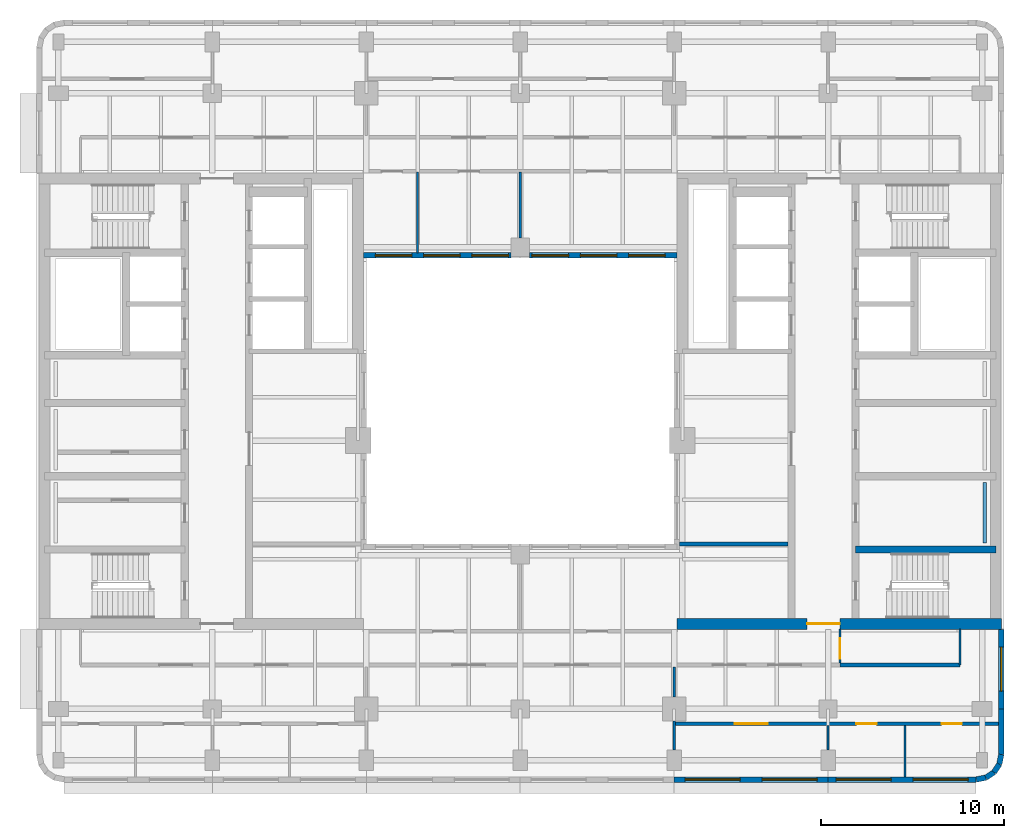
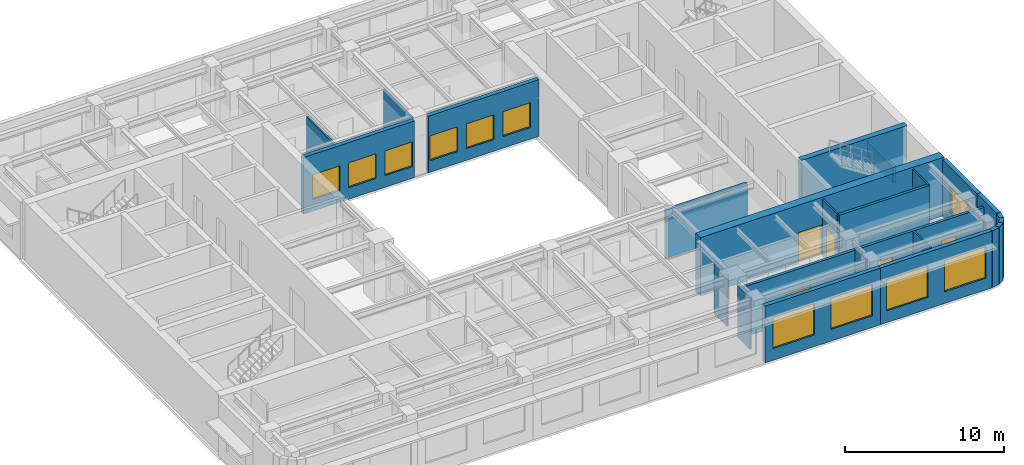
# One storey, part 5 of 11: 24 walls, 11 windows, 5 doors, 16 openings.
"""IFC4 building model written with IfcOpenShell, lengths in metres."""

from ifc_helpers import new_model, si_unit, direction, frame, frame_2d, origin, place, context, subcontext, project, spatial, rectangle, extrude, material, layer, layer_set, type_object, element, fill, save


model = new_model("IFC4")

# Units and contexts
model_context = context("Model", 3, precision=1e-05, world=origin(), true_north=direction((0.0, 1.0)))
body_context = subcontext(model_context, "Body", "Model", "MODEL_VIEW")
ifc_project = project(units=[si_unit("LENGTHUNIT", "METRE"), si_unit("AREAUNIT", "SQUARE_METRE"), si_unit("VOLUMEUNIT", "CUBIC_METRE"), si_unit("PLANEANGLEUNIT", "RADIAN"), si_unit("MASSUNIT", "GRAM", prefix="KILO")], contexts=[model_context])

# Site, building, storey
site_placement = place(None, origin())
site = spatial("IfcSite", under=ifc_project, at=site_placement, CompositionType="ELEMENT")
building_placement = place(site_placement, origin())
building = spatial("IfcBuilding", under=site, at=building_placement, Name="Claustro Exchange Tower", CompositionType="ELEMENT")
storey_placement = place(building_placement, frame((0.0, 0.0, 259.199951171875)))
storey = spatial("IfcBuildingStorey", under=building, at=storey_placement, Name="L59", CompositionType="ELEMENT", Elevation=259.199951171875)

# Walls
ifc_material_1 = material(Name="Laminated glass in aluminium frame", Category="aluminium")
ifc_layer_1 = layer(ifc_material_1, 0.1201171875)
ifc_layer_set_1 = layer_set([ifc_layer_1], Name="Laminated glass in aluminium frame")
wall_type_1 = type_object("IfcWallType", Name="P2 120 glazed partition", PredefinedType="PARTITIONING", material=ifc_layer_set_1)
wall_1_placement = place(storey_placement, frame((33.60009765625, 6.14892578125, 0.0), z_axis=(0.0, 0.0, 1.0), x_axis=(0.0, 1.0, 0.0)))
element("IfcWall", 1, at=wall_1_placement, inside=storey, type_object=wall_type_1, Name="Partition P2 L59", PredefinedType="PARTITIONING", context=body_context, shape_type="SweptSolid", body=[
    extrude(rectangle(XDim=1.60302734375, YDim=0.1201171875, at=frame_2d((0.801513671875, 0.0))), origin(), (0.0, 0.0, 1.0), 3.989990234375),
])
wall_2_placement = place(storey_placement, frame((42.0, 6.14892578125, 0.0), z_axis=(0.0, 0.0, 1.0), x_axis=(0.0, 1.0, 0.0)))
element("IfcWall", 2, at=wall_2_placement, inside=storey, type_object=wall_type_1, Name="Partition P2 L59", PredefinedType="PARTITIONING", context=body_context, shape_type="SweptSolid", body=[
    extrude(rectangle(XDim=1.35302734375, YDim=0.1201171875, at=frame_2d((0.676513671875, 0.0))), origin(), (0.0, 0.0, 1.0), 3.989990234375),
])
wall_3_placement = place(storey_placement, frame((46.199951171875, 4.699951171875, 0.0), z_axis=(0.0, 0.0, 1.0), x_axis=(0.0, 1.0, 0.0)))
element("IfcWall", 3, at=wall_3_placement, inside=storey, type_object=wall_type_1, Name="Partition P2 L59", PredefinedType="PARTITIONING", context=body_context, shape_type="SweptSolid", body=[
    extrude(rectangle(XDim=2.802001953125, YDim=0.1201171875, at=frame_2d((1.40087890625, 0.0))), origin(), (0.0, 0.0, 1.0), 3.860107421875),
])
wall_4_placement = place(storey_placement, frame((33.60009765625, 9.049072265625, 0.0), z_axis=(0.0, 0.0, 1.0), x_axis=(0.0, 1.0, 0.0)))
element("IfcWall", 4, at=wall_4_placement, inside=storey, type_object=wall_type_1, Name="Partition P2 L59", PredefinedType="PARTITIONING", context=body_context, shape_type="SweptSolid", body=[
    extrude(rectangle(XDim=1.65283203125, YDim=0.1201171875, at=frame_2d((0.826416015625, 0.0))), origin(), (0.0, 0.0, 1.0), 3.989990234375),
])

# Wall, opening, door
wall_5_placement = place(storey_placement, frame((42.64990234375, 10.89794921875, 0.0), z_axis=(0.0, 0.0, 1.0), x_axis=(0.0, 1.0, 0.0)))
wall_5 = element("IfcWall", 5, at=wall_5_placement, inside=storey, type_object=wall_type_1, Name="Partition P2 L59", PredefinedType="PARTITIONING", context=body_context, shape_type="SweptSolid", body=[
    extrude(rectangle(XDim=1.85400390625, YDim=0.1201171875, at=frame_2d((0.927001953125, 0.0))), origin(), (0.0, 0.0, 1.0), 4.35009765625),
])
opening_1_placement = place(wall_5_placement, frame((0.251953125, 0.0, 0.0)))
opening_1 = element("IfcOpeningElement", 6, at=opening_1_placement, cuts=wall_5, Name="Opening D8", PredefinedType="OPENING", context=body_context, shape_type="SweptSolid", body=[
    extrude(rectangle(XDim=1.10009765625, YDim=2.39990234375, at=frame_2d((0.550048828125, 1.199951171875))), frame((0.0, 0.070068359375, 0.0), z_axis=(0.0, -1.0, 0.0), x_axis=(1.0, 0.0, 0.0)), (0.0, 0.0, 1.0), 0.14013671875),
])
ifc_material_2 = material(Name="Timber door, walnut veneer", Category="wood")
door_type_1 = type_object("IfcDoorType", Name="D8 1100 x 2400 executive door", OperationType="SINGLE_SWING_LEFT", PredefinedType="DOOR", material=ifc_material_2)
door_1_placement = place(opening_1_placement, frame((1.10009765625, 0.0, 0.0), z_axis=(0.0, 0.0, 1.0), x_axis=(-1.0, 0.0, 0.0)))
door_1 = element("IfcDoor", 7, at=door_1_placement, inside=storey, type_object=door_type_1, Name="Door D8 L59", OperationType="SINGLE_SWING_RIGHT", OverallHeight=2.39990234375, OverallWidth=1.10009765625, PredefinedType="DOOR", context=body_context, shape_type="SweptSolid", body=[
    extrude(rectangle(XDim=1.10009765625, YDim=2.39990234375, at=frame_2d((0.550048828125, 1.199951171875))), frame((0.0, 0.02490234375, 0.0), z_axis=(0.0, -1.0, 0.0), x_axis=(1.0, 0.0, 0.0)), (0.0, 0.0, 1.0), 0.050048828125),
])
fill(opening_1, door_1)

# Walls
wall_6_placement = place(storey_placement, frame((49.199951171875, 10.800048828125, 0.0), z_axis=(0.0, 0.0, 1.0), x_axis=(0.0, 1.0, 0.0)))
element("IfcWall", 8, at=wall_6_placement, inside=storey, type_object=wall_type_1, Name="Partition P2 L59", PredefinedType="PARTITIONING", context=body_context, shape_type="SweptSolid", body=[
    extrude(rectangle(XDim=1.951904296875, YDim=0.1201171875, at=frame_2d((0.97607421875, 0.0))), origin(), (0.0, 0.0, 1.0), 4.35009765625),
])
wall_7_placement = place(storey_placement, frame((19.60009765625, 33.298095703125, 0.0), z_axis=(0.0, 0.0, 1.0), x_axis=(0.0, 1.0, 0.0)))
element("IfcWall", 9, at=wall_7_placement, inside=storey, type_object=wall_type_1, Name="Partition P2 L59", PredefinedType="PARTITIONING", context=body_context, shape_type="SweptSolid", body=[
    extrude(rectangle(XDim=4.40380859375, YDim=0.1201171875, at=frame_2d((2.201904296875, 0.0))), origin(), (0.0, 0.0, 1.0), 3.66015625),
])
wall_8_placement = place(storey_placement, frame((25.199951171875, 34.09912109375, 0.0), z_axis=(0.0, 0.0, 1.0), x_axis=(0.0, 1.0, 0.0)))
element("IfcWall", 10, at=wall_8_placement, inside=storey, type_object=wall_type_1, Name="Partition P2 L59", PredefinedType="PARTITIONING", context=body_context, shape_type="SweptSolid", body=[
    extrude(rectangle(XDim=3.602783203125, YDim=0.1201171875, at=frame_2d((1.80126953125, 0.0))), origin(), (0.0, 0.0, 1.0), 3.800048828125),
])
ifc_material_3 = material(Name="Twin-skin gypsum board on steel studs, mineral wool", Category="steel")
ifc_layer_2 = layer(ifc_material_3, 0.199951171875)
ifc_layer_set_2 = layer_set([ifc_layer_2], Name="Twin-skin gypsum board on steel studs, mineral wool")
wall_type_2 = type_object("IfcWallType", Name="P3 200 acoustic partition", PredefinedType="PARTITIONING", material=ifc_layer_set_2)
wall_9_placement = place(storey_placement, frame((33.89794921875, 17.39990234375, 0.0), z_axis=(0.0, 0.0, 1.0), x_axis=(1.0, 0.0, 0.0)))
element("IfcWall", 11, at=wall_9_placement, inside=storey, type_object=wall_type_2, Name="Partition P3 L59", PredefinedType="PARTITIONING", context=body_context, shape_type="SweptSolid", body=[
    extrude(rectangle(XDim=5.904052734375, YDim=0.199951171875, at=frame_2d((2.9521484375, 0.0))), origin(), (0.0, 0.0, 1.0), 3.800048828125),
])

# Wall, openings, doors
wall_10_placement = place(storey_placement, frame((33.60009765625, 7.60009765625, 0.0), z_axis=(0.0, 0.0, 1.0), x_axis=(1.0, 0.0, 0.0)))
wall_10 = element("IfcWall", 12, at=wall_10_placement, inside=storey, type_object=wall_type_2, Name="Partition P3 L59", PredefinedType="PARTITIONING", context=body_context, shape_type="SweptSolid", body=[
    extrude(rectangle(XDim=17.701904296875, YDim=0.199951171875, at=frame_2d((8.85107421875, 0.0))), origin(), (0.0, 0.0, 1.0), 3.860107421875),
])
opening_2_placement = place(wall_10_placement, frame((3.300048828125, 0.0, 0.0)))
opening_2 = element("IfcOpeningElement", 13, at=opening_2_placement, cuts=wall_10, Name="Opening D2", PredefinedType="OPENING", context=body_context, shape_type="SweptSolid", body=[
    extrude(rectangle(XDim=1.800048828125, YDim=2.199951171875, at=frame_2d((0.89990234375, 1.10009765625))), frame((0.0, 0.10986328125, 0.0), z_axis=(0.0, -1.0, 0.0), x_axis=(1.0, 0.0, 0.0)), (0.0, 0.0, 1.0), 0.219970703125),
])
opening_3_placement = place(wall_10_placement, frame((9.949951171875, 0.0, 0.0)))
opening_3 = element("IfcOpeningElement", 14, at=opening_3_placement, cuts=wall_10, Name="Opening D8", PredefinedType="OPENING", context=body_context, shape_type="SweptSolid", body=[
    extrude(rectangle(XDim=1.10009765625, YDim=2.39990234375, at=frame_2d((0.550048828125, 1.199951171875))), frame((0.0, 0.10986328125, 0.0), z_axis=(0.0, -1.0, 0.0), x_axis=(1.0, 0.0, 0.0)), (0.0, 0.0, 1.0), 0.219970703125),
])
opening_4_placement = place(wall_10_placement, frame((14.60009765625, 0.0, 0.0)))
opening_4 = element("IfcOpeningElement", 15, at=opening_4_placement, cuts=wall_10, Name="Opening D8", PredefinedType="OPENING", context=body_context, shape_type="SweptSolid", body=[
    extrude(rectangle(XDim=1.10009765625, YDim=2.39990234375, at=frame_2d((0.550048828125, 1.199951171875))), frame((0.0, 0.10986328125, 0.0), z_axis=(0.0, -1.0, 0.0), x_axis=(1.0, 0.0, 0.0)), (0.0, 0.0, 1.0), 0.219970703125),
])
ifc_material_4 = material(Name="Timber door, oak veneer", Category="wood")
door_type_2 = type_object("IfcDoorType", Name="D2 1800 x 2200 double door", OperationType="DOUBLE_DOOR_SINGLE_SWING", PredefinedType="DOOR", material=ifc_material_4)
door_2_placement = place(opening_2_placement, frame((1.800048828125, 0.0, 0.0), z_axis=(0.0, 0.0, 1.0), x_axis=(-1.0, 0.0, 0.0)))
door_2 = element("IfcDoor", 16, at=door_2_placement, inside=storey, type_object=door_type_2, Name="Double door D2 L59", OperationType="DOUBLE_DOOR_SINGLE_SWING", OverallHeight=2.199951171875, OverallWidth=1.800048828125, PredefinedType="DOOR", context=body_context, shape_type="SweptSolid", body=[
    extrude(rectangle(XDim=1.800048828125, YDim=2.199951171875, at=frame_2d((0.89990234375, 1.10009765625))), frame((0.0, 0.02490234375, 0.0), z_axis=(0.0, -1.0, 0.0), x_axis=(1.0, 0.0, 0.0)), (0.0, 0.0, 1.0), 0.050048828125),
])
fill(opening_2, door_2)
door_3_placement = place(opening_3_placement, frame((1.10009765625, 0.0, 0.0), z_axis=(0.0, 0.0, 1.0), x_axis=(-1.0, 0.0, 0.0)))
door_3 = element("IfcDoor", 17, at=door_3_placement, inside=storey, type_object=door_type_1, Name="Door D8 L59", OperationType="SINGLE_SWING_RIGHT", OverallHeight=2.39990234375, OverallWidth=1.10009765625, PredefinedType="DOOR", context=body_context, shape_type="SweptSolid", body=[
    extrude(rectangle(XDim=1.10009765625, YDim=2.39990234375, at=frame_2d((0.550048828125, 1.199951171875))), frame((0.0, 0.02490234375, 0.0), z_axis=(0.0, -1.0, 0.0), x_axis=(1.0, 0.0, 0.0)), (0.0, 0.0, 1.0), 0.050048828125),
])
fill(opening_3, door_3)
door_4_placement = place(opening_4_placement, frame((1.10009765625, 0.0, 0.0), z_axis=(0.0, 0.0, 1.0), x_axis=(-1.0, 0.0, 0.0)))
door_4 = element("IfcDoor", 18, at=door_4_placement, inside=storey, type_object=door_type_1, Name="Door D8 L59", OperationType="SINGLE_SWING_RIGHT", OverallHeight=2.39990234375, OverallWidth=1.10009765625, PredefinedType="DOOR", context=body_context, shape_type="SweptSolid", body=[
    extrude(rectangle(XDim=1.10009765625, YDim=2.39990234375, at=frame_2d((0.550048828125, 1.199951171875))), frame((0.0, 0.02490234375, 0.0), z_axis=(0.0, -1.0, 0.0), x_axis=(1.0, 0.0, 0.0)), (0.0, 0.0, 1.0), 0.050048828125),
])
fill(opening_4, door_4)

# Wall
wall_11_placement = place(storey_placement, frame((42.64794921875, 10.800048828125, 0.0), z_axis=(0.0, 0.0, 1.0), x_axis=(1.0, 0.0, 0.0)))
element("IfcWall", 19, at=wall_11_placement, inside=storey, type_object=wall_type_2, Name="Partition P3 L59", PredefinedType="PARTITIONING", context=body_context, shape_type="SweptSolid", body=[
    extrude(rectangle(XDim=6.552001953125, YDim=0.199951171875, at=frame_2d((3.27587890625, 0.0))), origin(), (0.0, 0.0, 1.0), 4.35009765625),
])

# Wall, openings, windows
ifc_material_5 = material(Name="Concrete HA-40 (C40/50), precast, white cement, acid-etched", Category="concrete")
ifc_layer_3 = layer(ifc_material_5, 0.300048828125)
ifc_layer_set_3 = layer_set([ifc_layer_3], Name="Concrete HA-40 (C40/50), precast, white cement, acid-etched")
wall_type_3 = type_object("IfcWallType", Name="PC1 300 precast concrete pier panel", PredefinedType="SOLIDWALL", material=ifc_layer_set_3)
wall_12_placement = place(storey_placement, frame((50.085205078125, 4.550048828125, 0.0), z_axis=(0.0, 0.0, 1.0), x_axis=(-1.0, 0.0, 0.0)))
wall_12 = element("IfcWall", 20, at=wall_12_placement, inside=storey, type_object=wall_type_3, Name="Precast pier panel PC1 L59", PredefinedType="SOLIDWALL", context=body_context, shape_type="SweptSolid", body=[
    extrude(rectangle(XDim=8.085205078125, YDim=0.300048828125, at=frame_2d((4.04248046875, 0.0))), origin(), (0.0, 0.0, 1.0), 4.35009765625),
])
opening_5_placement = place(wall_12_placement, frame((0.442626953125, 0.0, 0.89990234375)))
opening_5 = element("IfcOpeningElement", 21, at=opening_5_placement, cuts=wall_12, Name="Opening W3", PredefinedType="OPENING", context=body_context, shape_type="SweptSolid", body=[
    extrude(rectangle(XDim=3.0, YDim=2.39990234375, at=frame_2d((1.5, 1.199951171875))), frame((0.0, 0.159912109375, 0.0), z_axis=(0.0, -1.0, 0.0), x_axis=(1.0, 0.0, 0.0)), (0.0, 0.0, 1.0), 0.320068359375),
])
opening_6_placement = place(wall_12_placement, frame((4.642578125, 0.0, 0.89990234375)))
opening_6 = element("IfcOpeningElement", 22, at=opening_6_placement, cuts=wall_12, Name="Opening W3", PredefinedType="OPENING", context=body_context, shape_type="SweptSolid", body=[
    extrude(rectangle(XDim=3.0, YDim=2.39990234375, at=frame_2d((1.5, 1.199951171875))), frame((0.0, 0.159912109375, 0.0), z_axis=(0.0, -1.0, 0.0), x_axis=(1.0, 0.0, 0.0)), (0.0, 0.0, 1.0), 0.320068359375),
])
ifc_material_6 = material(Name="Aluminium frame, clear double glazing", Category="aluminium")
window_type_1 = type_object("IfcWindowType", Name="W3 3000 x 2400 window", PartitioningType="SINGLE_PANEL", PredefinedType="WINDOW", material=ifc_material_6)
window_1_placement = place(opening_5_placement, origin())
window_1 = element("IfcWindow", 23, at=window_1_placement, inside=storey, type_object=window_type_1, Name="Window W3 L59", OverallHeight=2.39990234375, OverallWidth=3.0, PartitioningType="SINGLE_PANEL", PredefinedType="WINDOW", context=body_context, shape_type="SweptSolid", body=[
    extrude(rectangle(XDim=3.0, YDim=2.39990234375, at=frame_2d((1.5, 1.199951171875))), frame((0.0, 0.030029296875, 0.0), z_axis=(0.0, -1.0, 0.0), x_axis=(1.0, 0.0, 0.0)), (0.0, 0.0, 1.0), 0.06005859375),
])
fill(opening_5, window_1)
window_2_placement = place(opening_6_placement, origin())
window_2 = element("IfcWindow", 24, at=window_2_placement, inside=storey, type_object=window_type_1, Name="Window W3 L59", OverallHeight=2.39990234375, OverallWidth=3.0, PartitioningType="SINGLE_PANEL", PredefinedType="WINDOW", context=body_context, shape_type="SweptSolid", body=[
    extrude(rectangle(XDim=3.0, YDim=2.39990234375, at=frame_2d((1.5, 1.199951171875))), frame((0.0, 0.030029296875, 0.0), z_axis=(0.0, -1.0, 0.0), x_axis=(1.0, 0.0, 0.0)), (0.0, 0.0, 1.0), 0.06005859375),
])
fill(opening_6, window_2)

wall_13_placement = place(storey_placement, frame((42.0, 4.550048828125, 0.0), z_axis=(0.0, 0.0, 1.0), x_axis=(-1.0, 0.0, 0.0)))
wall_13 = element("IfcWall", 25, at=wall_13_placement, inside=storey, type_object=wall_type_3, Name="Precast pier panel PC1 L59", PredefinedType="SOLIDWALL", context=body_context, shape_type="SweptSolid", body=[
    extrude(rectangle(XDim=8.39990234375, YDim=0.300048828125, at=frame_2d((4.199951171875, 0.0))), origin(), (0.0, 0.0, 1.0), 4.35009765625),
])
opening_7_placement = place(wall_13_placement, frame((0.60009765625, 0.0, 0.89990234375)))
opening_7 = element("IfcOpeningElement", 26, at=opening_7_placement, cuts=wall_13, Name="Opening W3", PredefinedType="OPENING", context=body_context, shape_type="SweptSolid", body=[
    extrude(rectangle(XDim=3.0, YDim=2.39990234375, at=frame_2d((1.5, 1.199951171875))), frame((0.0, 0.159912109375, 0.0), z_axis=(0.0, -1.0, 0.0), x_axis=(1.0, 0.0, 0.0)), (0.0, 0.0, 1.0), 0.320068359375),
])
opening_8_placement = place(wall_13_placement, frame((4.800048828125, 0.0, 0.89990234375)))
opening_8 = element("IfcOpeningElement", 27, at=opening_8_placement, cuts=wall_13, Name="Opening W3", PredefinedType="OPENING", context=body_context, shape_type="SweptSolid", body=[
    extrude(rectangle(XDim=3.0, YDim=2.39990234375, at=frame_2d((1.5, 1.199951171875))), frame((0.0, 0.159912109375, 0.0), z_axis=(0.0, -1.0, 0.0), x_axis=(1.0, 0.0, 0.0)), (0.0, 0.0, 1.0), 0.320068359375),
])
window_3_placement = place(opening_7_placement, origin())
window_3 = element("IfcWindow", 28, at=window_3_placement, inside=storey, type_object=window_type_1, Name="Window W3 L59", OverallHeight=2.39990234375, OverallWidth=3.0, PartitioningType="SINGLE_PANEL", PredefinedType="WINDOW", context=body_context, shape_type="SweptSolid", body=[
    extrude(rectangle(XDim=3.0, YDim=2.39990234375, at=frame_2d((1.5, 1.199951171875))), frame((0.0, 0.030029296875, 0.0), z_axis=(0.0, -1.0, 0.0), x_axis=(1.0, 0.0, 0.0)), (0.0, 0.0, 1.0), 0.06005859375),
])
fill(opening_7, window_3)
window_4_placement = place(opening_8_placement, origin())
window_4 = element("IfcWindow", 29, at=window_4_placement, inside=storey, type_object=window_type_1, Name="Window W3 L59", OverallHeight=2.39990234375, OverallWidth=3.0, PartitioningType="SINGLE_PANEL", PredefinedType="WINDOW", context=body_context, shape_type="SweptSolid", body=[
    extrude(rectangle(XDim=3.0, YDim=2.39990234375, at=frame_2d((1.5, 1.199951171875))), frame((0.0, 0.030029296875, 0.0), z_axis=(0.0, -1.0, 0.0), x_axis=(1.0, 0.0, 0.0)), (0.0, 0.0, 1.0), 0.06005859375),
])
fill(opening_8, window_4)

# Wall, opening, window
wall_14_placement = place(storey_placement, frame((51.449951171875, 12.75, 0.0), z_axis=(0.0, 0.0, 1.0), x_axis=(0.0, -1.0, 0.0)))
wall_14 = element("IfcWall", 30, at=wall_14_placement, inside=storey, type_object=wall_type_3, Name="Precast pier panel PC1 L59", PredefinedType="SOLIDWALL", context=body_context, shape_type="SweptSolid", body=[
    extrude(rectangle(XDim=4.35009765625, YDim=0.300048828125, at=frame_2d((2.175048828125, 0.0))), origin(), (0.0, 0.0, 1.0), 4.35009765625),
])
opening_9_placement = place(wall_14_placement, frame((0.97509765625, 0.0, 0.89990234375)))
opening_9 = element("IfcOpeningElement", 31, at=opening_9_placement, cuts=wall_14, Name="Opening W2", PredefinedType="OPENING", context=body_context, shape_type="SweptSolid", body=[
    extrude(rectangle(XDim=2.39990234375, YDim=1.89990234375, at=frame_2d((1.199951171875, 0.949951171875))), frame((0.0, 0.159912109375, 0.0), z_axis=(0.0, -1.0, 0.0), x_axis=(1.0, 0.0, 0.0)), (0.0, 0.0, 1.0), 0.320068359375),
])
ifc_material_7 = material(Name="Aluminium frame, clear double glazing", Category="aluminium")
window_type_2 = type_object("IfcWindowType", Name="W2 2400 x 1900 window", PartitioningType="SINGLE_PANEL", PredefinedType="WINDOW", material=ifc_material_7)
window_5_placement = place(opening_9_placement, origin())
window_5 = element("IfcWindow", 32, at=window_5_placement, inside=storey, type_object=window_type_2, Name="Window W2 L59", OverallHeight=1.89990234375, OverallWidth=2.39990234375, PartitioningType="SINGLE_PANEL", PredefinedType="WINDOW", context=body_context, shape_type="SweptSolid", body=[
    extrude(rectangle(XDim=2.39990234375, YDim=1.89990234375, at=frame_2d((1.199951171875, 0.949951171875))), frame((0.0, 0.030029296875, 0.0), z_axis=(0.0, -1.0, 0.0), x_axis=(1.0, 0.0, 0.0)), (0.0, 0.0, 1.0), 0.06005859375),
])
fill(opening_9, window_5)

# Walls
wall_15_placement = place(storey_placement, frame((51.449951171875, 8.39990234375, 0.0), z_axis=(0.0, 0.0, 1.0), x_axis=(0.0, -1.0, 0.0)))
element("IfcWall", 33, at=wall_15_placement, inside=storey, type_object=wall_type_3, Name="Precast pier panel PC1 L59", PredefinedType="SOLIDWALL", context=body_context, shape_type="SweptSolid", body=[
    extrude(rectangle(XDim=2.485107421875, YDim=0.300048828125, at=frame_2d((1.24267578125, 0.0))), origin(), (0.0, 0.0, 1.0), 4.35009765625),
])
wall_16_placement = place(storey_placement, frame((51.449951171875, 5.914794921875, 0.0), z_axis=(0.0, 0.0, 1.0), x_axis=(-0.195073962632, -0.980788534345, 0.0)))
element("IfcWall", 34, at=wall_16_placement, inside=storey, type_object=wall_type_3, Name="Precast pier panel PC1 L59", PredefinedType="SOLIDWALL", context=body_context, shape_type="SweptSolid", body=[
    extrude(rectangle(XDim=0.540771484375, YDim=0.300048828125, at=frame_2d((0.2705078125, 0.0))), origin(), (0.0, 0.0, 1.0), 4.35009765625),
])
for number, where, z_axis, x_axis, name in (
    (35, (51.344482421875, 5.384521484375, 0.0), (0.0, 0.0, 1.0), (-0.555557463938, -0.831478144188, 0.0), "Precast pier panel PC1 L59"),
    (36, (51.052490234375, 4.947509765625, 0.0), (0.0, 0.0, 1.0), (-0.831478144188, -0.555557463938, 0.0), "Precast pier panel PC1 L59"),
):
    element("IfcWall", number, at=place(storey_placement, frame(where, z_axis=z_axis, x_axis=x_axis)), inside=storey, type_object=wall_type_3, Name=name, PredefinedType="SOLIDWALL", context=body_context, shape_type="SweptSolid", body=[
        extrude(rectangle(XDim=0.525634765625, YDim=0.300048828125, at=frame_2d((0.2626953125, 0.0))), origin(), (0.0, 0.0, 1.0), 4.35009765625),
    ])
wall_17_placement = place(storey_placement, frame((50.615478515625, 4.655517578125, 0.0), z_axis=(0.0, 0.0, 1.0), x_axis=(-0.980788534345, -0.195073962632, 0.0)))
element("IfcWall", 37, at=wall_17_placement, inside=storey, type_object=wall_type_3, Name="Precast pier panel PC1 L59", PredefinedType="SOLIDWALL", context=body_context, shape_type="SweptSolid", body=[
    extrude(rectangle(XDim=0.540771484375, YDim=0.300048828125, at=frame_2d((0.2705078125, 0.0))), origin(), (0.0, 0.0, 1.0), 4.35009765625),
])

# Wall, openings, windows
wall_18_placement = place(storey_placement, frame((16.64990234375, 33.14990234375, 0.0), z_axis=(0.0, 0.0, 1.0), x_axis=(1.0, 0.0, 0.0)))
wall_18 = element("IfcWall", 38, at=wall_18_placement, inside=storey, type_object=wall_type_3, Name="Precast pier panel PC1 L59", PredefinedType="SOLIDWALL", context=body_context, shape_type="SweptSolid", body=[
    extrude(rectangle(XDim=8.050048828125, YDim=0.300048828125, at=frame_2d((4.02490234375, 0.0))), origin(), (0.0, 0.0, 1.0), 4.35009765625),
])
opening_10_placement = place(wall_18_placement, frame((0.637451171875, 0.0, 0.89990234375)))
opening_10 = element("IfcOpeningElement", 39, at=opening_10_placement, cuts=wall_18, Name="Opening W4", PredefinedType="OPENING", context=body_context, shape_type="SweptSolid", body=[
    extrude(rectangle(XDim=2.0, YDim=1.89990234375, at=frame_2d((1.0, 0.949951171875))), frame((0.0, 0.159912109375, 0.0), z_axis=(0.0, -1.0, 0.0), x_axis=(1.0, 0.0, 0.0)), (0.0, 0.0, 1.0), 0.320068359375),
])
opening_11_placement = place(wall_18_placement, frame((3.27490234375, 0.0, 0.89990234375)))
opening_11 = element("IfcOpeningElement", 40, at=opening_11_placement, cuts=wall_18, Name="Opening W4", PredefinedType="OPENING", context=body_context, shape_type="SweptSolid", body=[
    extrude(rectangle(XDim=2.0, YDim=1.89990234375, at=frame_2d((1.0, 0.949951171875))), frame((0.0, 0.159912109375, 0.0), z_axis=(0.0, -1.0, 0.0), x_axis=(1.0, 0.0, 0.0)), (0.0, 0.0, 1.0), 0.320068359375),
])
opening_12_placement = place(wall_18_placement, frame((5.91259765625, 0.0, 0.89990234375)))
opening_12 = element("IfcOpeningElement", 41, at=opening_12_placement, cuts=wall_18, Name="Opening W4", PredefinedType="OPENING", context=body_context, shape_type="SweptSolid", body=[
    extrude(rectangle(XDim=2.0, YDim=1.89990234375, at=frame_2d((1.0, 0.949951171875))), frame((0.0, 0.159912109375, 0.0), z_axis=(0.0, -1.0, 0.0), x_axis=(1.0, 0.0, 0.0)), (0.0, 0.0, 1.0), 0.320068359375),
])
ifc_material_8 = material(Name="Aluminium frame, clear double glazing", Category="aluminium")
window_type_3 = type_object("IfcWindowType", Name="W4 2000 x 1900 light well window", PartitioningType="SINGLE_PANEL", PredefinedType="WINDOW", material=ifc_material_8)
window_6_placement = place(opening_10_placement, origin())
window_6 = element("IfcWindow", 42, at=window_6_placement, inside=storey, type_object=window_type_3, Name="Window W4 L59", OverallHeight=1.89990234375, OverallWidth=2.0, PartitioningType="SINGLE_PANEL", PredefinedType="WINDOW", context=body_context, shape_type="SweptSolid", body=[
    extrude(rectangle(XDim=2.0, YDim=1.89990234375, at=frame_2d((1.0, 0.949951171875))), frame((0.0, 0.030029296875, 0.0), z_axis=(0.0, -1.0, 0.0), x_axis=(1.0, 0.0, 0.0)), (0.0, 0.0, 1.0), 0.06005859375),
])
fill(opening_10, window_6)
window_7_placement = place(opening_11_placement, origin())
window_7 = element("IfcWindow", 43, at=window_7_placement, inside=storey, type_object=window_type_3, Name="Window W4 L59", OverallHeight=1.89990234375, OverallWidth=2.0, PartitioningType="SINGLE_PANEL", PredefinedType="WINDOW", context=body_context, shape_type="SweptSolid", body=[
    extrude(rectangle(XDim=2.0, YDim=1.89990234375, at=frame_2d((1.0, 0.949951171875))), frame((0.0, 0.030029296875, 0.0), z_axis=(0.0, -1.0, 0.0), x_axis=(1.0, 0.0, 0.0)), (0.0, 0.0, 1.0), 0.06005859375),
])
fill(opening_11, window_7)
window_8_placement = place(opening_12_placement, origin())
window_8 = element("IfcWindow", 44, at=window_8_placement, inside=storey, type_object=window_type_3, Name="Window W4 L59", OverallHeight=1.89990234375, OverallWidth=2.0, PartitioningType="SINGLE_PANEL", PredefinedType="WINDOW", context=body_context, shape_type="SweptSolid", body=[
    extrude(rectangle(XDim=2.0, YDim=1.89990234375, at=frame_2d((1.0, 0.949951171875))), frame((0.0, 0.030029296875, 0.0), z_axis=(0.0, -1.0, 0.0), x_axis=(1.0, 0.0, 0.0)), (0.0, 0.0, 1.0), 0.06005859375),
])
fill(opening_12, window_8)

wall_19_placement = place(storey_placement, frame((25.699951171875, 33.14990234375, 0.0), z_axis=(0.0, 0.0, 1.0), x_axis=(1.0, 0.0, 0.0)))
wall_19 = element("IfcWall", 45, at=wall_19_placement, inside=storey, type_object=wall_type_3, Name="Precast pier panel PC1 L59", PredefinedType="SOLIDWALL", context=body_context, shape_type="SweptSolid", body=[
    extrude(rectangle(XDim=8.050048828125, YDim=0.300048828125, at=frame_2d((4.02490234375, 0.0))), origin(), (0.0, 0.0, 1.0), 4.35009765625),
])
opening_13_placement = place(wall_19_placement, frame((0.137451171875, 0.0, 0.89990234375)))
opening_13 = element("IfcOpeningElement", 46, at=opening_13_placement, cuts=wall_19, Name="Opening W4", PredefinedType="OPENING", context=body_context, shape_type="SweptSolid", body=[
    extrude(rectangle(XDim=2.0, YDim=1.89990234375, at=frame_2d((1.0, 0.949951171875))), frame((0.0, 0.159912109375, 0.0), z_axis=(0.0, -1.0, 0.0), x_axis=(1.0, 0.0, 0.0)), (0.0, 0.0, 1.0), 0.320068359375),
])
opening_14_placement = place(wall_19_placement, frame((2.77490234375, 0.0, 0.89990234375)))
opening_14 = element("IfcOpeningElement", 47, at=opening_14_placement, cuts=wall_19, Name="Opening W4", PredefinedType="OPENING", context=body_context, shape_type="SweptSolid", body=[
    extrude(rectangle(XDim=2.0, YDim=1.89990234375, at=frame_2d((1.0, 0.949951171875))), frame((0.0, 0.159912109375, 0.0), z_axis=(0.0, -1.0, 0.0), x_axis=(1.0, 0.0, 0.0)), (0.0, 0.0, 1.0), 0.320068359375),
])
opening_15_placement = place(wall_19_placement, frame((5.41259765625, 0.0, 0.89990234375)))
opening_15 = element("IfcOpeningElement", 48, at=opening_15_placement, cuts=wall_19, Name="Opening W4", PredefinedType="OPENING", context=body_context, shape_type="SweptSolid", body=[
    extrude(rectangle(XDim=2.0, YDim=1.89990234375, at=frame_2d((1.0, 0.949951171875))), frame((0.0, 0.159912109375, 0.0), z_axis=(0.0, -1.0, 0.0), x_axis=(1.0, 0.0, 0.0)), (0.0, 0.0, 1.0), 0.320068359375),
])
window_9_placement = place(opening_13_placement, origin())
window_9 = element("IfcWindow", 49, at=window_9_placement, inside=storey, type_object=window_type_3, Name="Window W4 L59", OverallHeight=1.89990234375, OverallWidth=2.0, PartitioningType="SINGLE_PANEL", PredefinedType="WINDOW", context=body_context, shape_type="SweptSolid", body=[
    extrude(rectangle(XDim=2.0, YDim=1.89990234375, at=frame_2d((1.0, 0.949951171875))), frame((0.0, 0.030029296875, 0.0), z_axis=(0.0, -1.0, 0.0), x_axis=(1.0, 0.0, 0.0)), (0.0, 0.0, 1.0), 0.06005859375),
])
fill(opening_13, window_9)
window_10_placement = place(opening_14_placement, origin())
window_10 = element("IfcWindow", 50, at=window_10_placement, inside=storey, type_object=window_type_3, Name="Window W4 L59", OverallHeight=1.89990234375, OverallWidth=2.0, PartitioningType="SINGLE_PANEL", PredefinedType="WINDOW", context=body_context, shape_type="SweptSolid", body=[
    extrude(rectangle(XDim=2.0, YDim=1.89990234375, at=frame_2d((1.0, 0.949951171875))), frame((0.0, 0.030029296875, 0.0), z_axis=(0.0, -1.0, 0.0), x_axis=(1.0, 0.0, 0.0)), (0.0, 0.0, 1.0), 0.06005859375),
])
fill(opening_14, window_10)
window_11_placement = place(opening_15_placement, origin())
window_11 = element("IfcWindow", 51, at=window_11_placement, inside=storey, type_object=window_type_3, Name="Window W4 L59", OverallHeight=1.89990234375, OverallWidth=2.0, PartitioningType="SINGLE_PANEL", PredefinedType="WINDOW", context=body_context, shape_type="SweptSolid", body=[
    extrude(rectangle(XDim=2.0, YDim=1.89990234375, at=frame_2d((1.0, 0.949951171875))), frame((0.0, 0.030029296875, 0.0), z_axis=(0.0, -1.0, 0.0), x_axis=(1.0, 0.0, 0.0)), (0.0, 0.0, 1.0), 0.06005859375),
])
fill(opening_15, window_11)

# Wall
ifc_material_9 = material(Name="Gypsum board on steel studs, tiled", Category="steel")
ifc_layer_4 = layer(ifc_material_9, 0.199951171875)
ifc_layer_set_4 = layer_set([ifc_layer_4], Name="Gypsum board on steel studs, tiled")
wall_type_4 = type_object("IfcWallType", Name="PW1 200 WC duct wall", PredefinedType="PLUMBINGWALL", material=ifc_layer_set_4)
wall_20_placement = place(storey_placement, frame((50.550048828125, 17.449951171875, 0.0), z_axis=(0.0, 0.0, 1.0), x_axis=(0.0, 1.0, 0.0)))
element("IfcWall", 52, at=wall_20_placement, inside=storey, type_object=wall_type_4, Name="WC duct wall PW1 L59", PredefinedType="PLUMBINGWALL", context=body_context, shape_type="SweptSolid", body=[
    extrude(rectangle(XDim=3.300048828125, YDim=0.199951171875, at=frame_2d((1.64990234375, 0.0))), origin(), (0.0, 0.0, 1.0), 1.199951171875),
])

# Wall, opening, door
ifc_material_10 = material(Name="Concrete HA-50 (C50/60)", Category="concrete")
ifc_layer_5 = layer(ifc_material_10, 0.60009765625)
ifc_layer_set_5 = layer_set([ifc_layer_5], Name="Concrete HA-50 (C50/60)")
wall_type_5 = type_object("IfcWallType", Name="SW3 600 core shear wall", PredefinedType="SHEAR", material=ifc_layer_set_5)
wall_21_placement = place(storey_placement, frame((33.75, 13.050048828125, 0.0), z_axis=(0.0, 0.0, 1.0), x_axis=(1.0, 0.0, 0.0)))
wall_21 = element("IfcWall", 53, at=wall_21_placement, inside=storey, type_object=wall_type_5, Name="Core wall SW3 E core S face L59", PredefinedType="SHEAR", context=body_context, shape_type="SweptSolid", body=[
    extrude(rectangle(XDim=17.699951171875, YDim=0.60009765625, at=frame_2d((8.85009765625, 0.0))), origin(), (0.0, 0.0, 1.0), 4.5),
])
opening_16_placement = place(wall_21_placement, frame((7.10009765625, 0.0, 0.0)))
opening_16 = element("IfcOpeningElement", 54, at=opening_16_placement, cuts=wall_21, Name="Opening D3", PredefinedType="OPENING", context=body_context, shape_type="SweptSolid", body=[
    extrude(rectangle(XDim=1.800048828125, YDim=2.39990234375, at=frame_2d((0.89990234375, 1.199951171875))), frame((0.0, 0.31005859375, 0.0), z_axis=(0.0, -1.0, 0.0), x_axis=(1.0, 0.0, 0.0)), (0.0, 0.0, 1.0), 0.6201171875),
])
ifc_material_11 = material(Name="Steel fire door, painted", Category="steel")
door_type_3 = type_object("IfcDoorType", Name="D3 1800 x 2400 fire-rated lobby double door", OperationType="DOUBLE_DOOR_SINGLE_SWING", PredefinedType="DOOR", material=ifc_material_11)
door_5_placement = place(opening_16_placement, origin())
door_5 = element("IfcDoor", 55, at=door_5_placement, inside=storey, type_object=door_type_3, Name="Lift lobby door D3 L59", OperationType="DOUBLE_DOOR_SINGLE_SWING", OverallHeight=2.39990234375, OverallWidth=1.800048828125, PredefinedType="DOOR", context=body_context, shape_type="SweptSolid", body=[
    extrude(rectangle(XDim=1.800048828125, YDim=2.39990234375, at=frame_2d((0.89990234375, 1.199951171875))), frame((0.0, 0.02490234375, 0.0), z_axis=(0.0, -1.0, 0.0), x_axis=(1.0, 0.0, 0.0)), (0.0, 0.0, 1.0), 0.050048828125),
])
fill(opening_16, door_5)

# Wall
ifc_material_12 = material(Name="Concrete HA-50 (C50/60)", Category="concrete")
ifc_layer_6 = layer(ifc_material_12, 0.39990234375)
ifc_layer_set_6 = layer_set([ifc_layer_6], Name="Concrete HA-50 (C50/60)")
wall_type_6 = type_object("IfcWallType", Name="SW4 400 internal core wall", PredefinedType="SHEAR", material=ifc_layer_set_6)
wall_22_placement = place(storey_placement, frame((51.14990234375, 17.10009765625, 0.0), z_axis=(0.0, 0.0, 1.0), x_axis=(-1.0, 0.0, 0.0)))
element("IfcWall", 56, at=wall_22_placement, inside=storey, type_object=wall_type_6, Name="Internal core wall SW4 E core L59", PredefinedType="SHEAR", context=body_context, shape_type="SweptSolid", body=[
    extrude(rectangle(XDim=7.64990234375, YDim=0.39990234375, at=frame_2d((3.824951171875, 0.0))), origin(), (0.0, 0.0, 1.0), 4.5),
])

save(model, "model.ifc")
